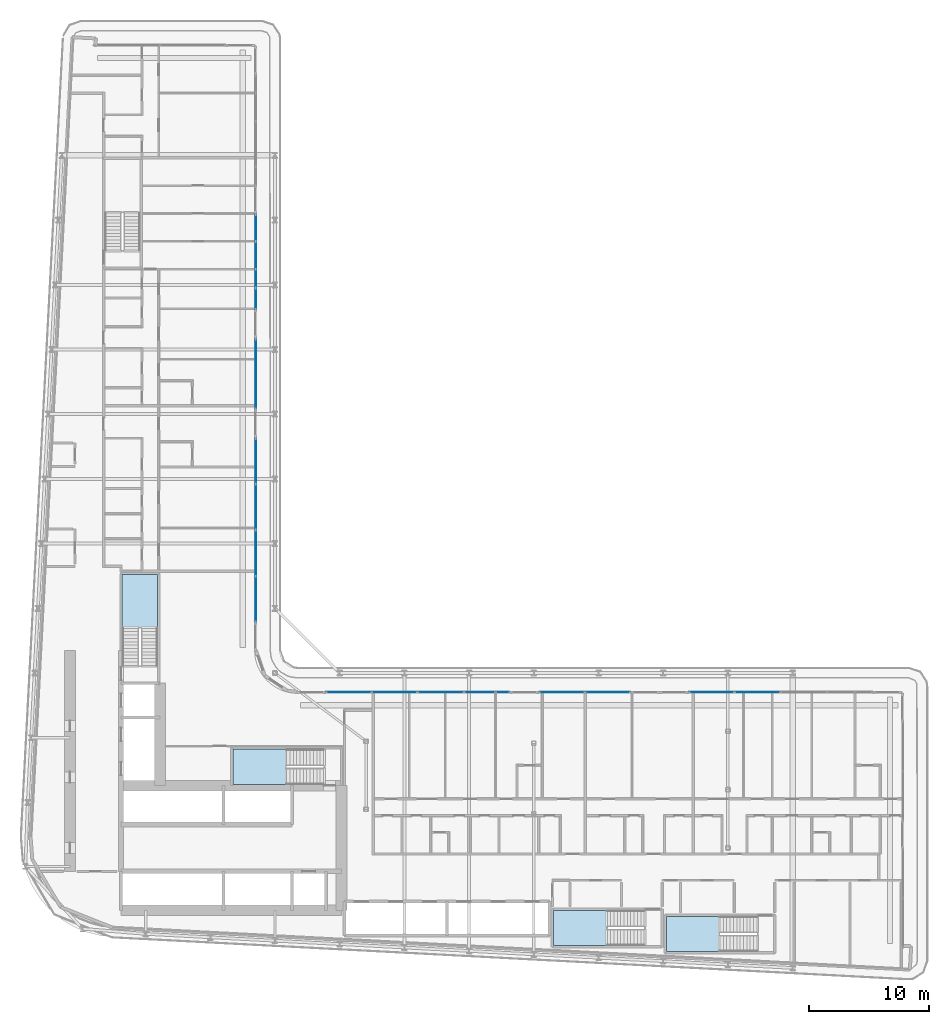
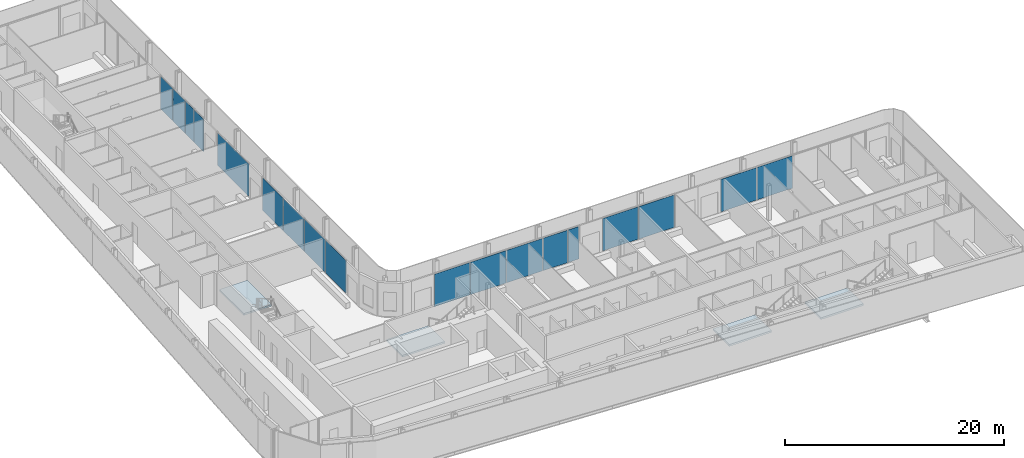
# One storey, part 10 of 28: 18 plates, 4 slabs, 13 elements without a shape of their own.
"""IFC4 building model written with IfcOpenShell, lengths in metres."""

import ifcopenshell
import ifcopenshell.guid

model = None  # the IFC model being written
_history = None  # IfcOwnerHistory: only IFC2X3 demands one
_inside = {}  # id of a spatial element -> (the spatial element, [elements in it])
_under = {}  # id of a project, library or spatial element -> (it, [spatial elements below it])
_declared = {}  # id of a project -> (the project, [libraries it declares])
_typed = {}  # id of a type object -> (the type object, [elements of that type])
_made_of = {}  # id of a material, layer set ... -> (it, [elements and type objects made of it])


def new_model(schema):
    """Start an empty IFC model of exactly this schema.

    Asked for "IFC4X3", IfcOpenShell would pick the latest addendum, in which some entities
    have other attributes; the version numbers below select the first issue.
    IFC2X3 requires an IfcOwnerHistory on every rooted entity: one is made here for all.
    """
    global model, _history
    if schema == "IFC4X3":
        model = ifcopenshell.file(schema_version=(4, 3, 0, 0))
    else:
        model = ifcopenshell.file(schema=schema)
    _inside.clear()
    _under.clear()
    _declared.clear()
    _typed.clear()
    _made_of.clear()
    _history = None
    if model.schema == "IFC2X3":
        org = make("IfcOrganization", Name="unknown")
        user = make(
            "IfcPersonAndOrganization",
            ThePerson=make("IfcPerson", FamilyName="unknown"),
            TheOrganization=org,
        )
        app = make(
            "IfcApplication",
            ApplicationDeveloper=org,
            Version="unknown",
            ApplicationFullName="unknown",
            ApplicationIdentifier="unknown",
        )
        _history = make(
            "IfcOwnerHistory",
            OwningUser=user,
            OwningApplication=app,
            ChangeAction="ADDED",
            CreationDate=0,
        )
    return model


def make(cls, **values):
    """One entity of the class cls with the attributes given. An attribute that is None is left unset."""
    return model.create_entity(
        cls, **{name: value for name, value in values.items() if value is not None}
    )


def rooted(cls, **values):
    """An entity with a GlobalId (a new one), such as an element, a storey or a relation."""
    return make(cls, GlobalId=ifcopenshell.guid.new(), OwnerHistory=_history, **values)


def si_unit(unit_type, name, prefix=None):
    """IfcSIUnit, for example si_unit("LENGTHUNIT", "METRE", prefix="MILLI")."""
    return make("IfcSIUnit", UnitType=unit_type, Prefix=prefix, Name=name)


def assignment(units):
    """IfcUnitAssignment: the units of a project."""
    return None if units is None else make("IfcUnitAssignment", Units=units)


def point(xyz):
    """IfcCartesianPoint."""
    return None if xyz is None else make("IfcCartesianPoint", Coordinates=xyz)


def direction(xyz):
    """IfcDirection."""
    return None if xyz is None else make("IfcDirection", DirectionRatios=xyz)


def frame(location, z_axis=None, x_axis=None):
    """IfcAxis2Placement3D, a coordinate frame: its origin and axes. An axis left out is left unset."""
    return make(
        "IfcAxis2Placement3D",
        Location=point(location),
        Axis=direction(z_axis),
        RefDirection=direction(x_axis),
    )


def frame_2d(location, x_axis=None):
    """IfcAxis2Placement2D, a coordinate frame in the plane: its origin and x axis."""
    return make(
        "IfcAxis2Placement2D", Location=point(location), RefDirection=direction(x_axis)
    )


def origin():
    """The frame at (0, 0, 0) with its axes left unset."""
    return frame((0.0, 0.0, 0.0))


def origin_2d():
    """The frame at (0, 0) in the plane with its x axis left unset."""
    return frame_2d((0.0, 0.0))


def place(relative_to, where):
    """IfcLocalPlacement: puts the frame where relative to a parent placement (None: the world)."""
    return make(
        "IfcLocalPlacement", PlacementRelTo=relative_to, RelativePlacement=where
    )


def context(
    kind, dimensions, precision=None, world=None, true_north=None, identifier=None
):
    """IfcGeometricRepresentationContext, for example the 3D "Model" context."""
    return make(
        "IfcGeometricRepresentationContext",
        ContextIdentifier=identifier,
        ContextType=kind,
        CoordinateSpaceDimension=dimensions,
        Precision=precision,
        WorldCoordinateSystem=world,
        TrueNorth=true_north,
    )


def subcontext(parent, identifier, kind, view, scale=None):
    """IfcGeometricRepresentationSubContext, for example "Body" below "Model"."""
    return make(
        "IfcGeometricRepresentationSubContext",
        ContextIdentifier=identifier,
        ContextType=kind,
        ParentContext=parent,
        TargetScale=scale,
        TargetView=view,
    )


def project(units=None, contexts=None):
    """IfcProject with its units and contexts."""
    return rooted(
        "IfcProject",
        Name="project",
        RepresentationContexts=contexts,
        UnitsInContext=assignment(units),
    )


def spatial(cls, under=None, at=None, **own):
    """A site, building, storey or space (cls), placed at a placement, below another one or the project."""
    s = rooted(cls, ObjectPlacement=at, **own)
    if under is not None:
        _under.setdefault(under.id(), (under, []))[1].append(s)
    return s


def polyline(points):
    """IfcPolyline through the points."""
    return make("IfcPolyline", Points=[point(p) for p in points])


def profile(cls, at=None, kind="AREA", **sizes):
    """A parametric profile (cls). Its sizes go by their IFC names, for example OverallWidth=200.0."""
    return make(cls, ProfileType=kind, Position=at, **sizes)


def rectangle(**sizes):
    """IfcRectangleProfileDef."""
    return profile("IfcRectangleProfileDef", **sizes)


def outline(outer, holes=None, kind="AREA"):
    """IfcArbitraryClosedProfileDef: a profile drawn as a closed curve; with holes, ...WithVoids."""
    if holes is None:
        return make("IfcArbitraryClosedProfileDef", ProfileType=kind, OuterCurve=outer)
    return make(
        "IfcArbitraryProfileDefWithVoids",
        ProfileType=kind,
        OuterCurve=outer,
        InnerCurves=holes,
    )


def extrude(swept, where, along, depth):
    """IfcExtrudedAreaSolid: the profile swept, set in the frame where, extruded along a direction by depth."""
    return make(
        "IfcExtrudedAreaSolid",
        SweptArea=swept,
        Position=where,
        ExtrudedDirection=direction(along),
        Depth=depth,
    )


def shape(context_of_items, identifier, shape_type, items):
    """IfcShapeRepresentation: the items that make up one representation, for example the "Body"."""
    return make(
        "IfcShapeRepresentation",
        ContextOfItems=context_of_items,
        RepresentationIdentifier=identifier,
        RepresentationType=shape_type,
        Items=items,
    )


def material(Name=None, Category=None):
    """IfcMaterial."""
    return make("IfcMaterial", Name=Name, Category=Category)


def layer(
    of_material, thickness, ventilated=None, Name=None, Category=None, Priority=None
):
    """IfcMaterialLayer: one layer of a wall or slab, of a material (None: an air gap)."""
    return make(
        "IfcMaterialLayer",
        Material=of_material,
        LayerThickness=thickness,
        IsVentilated=ventilated,
        Name=Name,
        Category=Category,
        Priority=Priority,
    )


def layer_set(layers, Name=None):
    """IfcMaterialLayerSet."""
    return make("IfcMaterialLayerSet", MaterialLayers=layers, LayerSetName=Name)


def made_of(thing, what):
    """Note that an element or type object is made of a material, layer set ...; save() writes the relation."""
    if what is not None:
        _made_of.setdefault(what.id(), (what, []))[1].append(thing)
    return thing


def type_object(cls, material=None, **own):
    """A type object (cls), such as IfcWallType, which elements share."""
    return made_of(rooted(cls, **own), material)


def element(
    cls,
    number,
    at=None,
    inside=None,
    cuts=None,
    type_object=None,
    material=None,
    context=None,
    identifier="Body",
    shape_type=None,
    held_by="IfcProductDefinitionShape",
    body=None,
    shapes=None,
    **own,
):
    """One element of the class cls, such as IfcWall. Its Tag is "e" and its number.

    at: its placement. inside: the storey or other place that contains it. cuts: it is an
    opening in that element (IfcRelVoidsElement). A single representation is given by context,
    identifier, shape_type and body (its items); several are given by shapes. held_by: the class
    of the entity that holds the representations. save() writes the other relations.
    """
    e = rooted(cls, Tag="e%d" % number, ObjectPlacement=at, **own)
    if body is not None:
        shapes = [shape(context, identifier, shape_type, body)]
    if shapes is not None:
        e.Representation = make(held_by, Representations=shapes)
    if inside is not None:
        _inside.setdefault(inside.id(), (inside, []))[1].append(e)
    if cuts is not None:
        rooted(
            "IfcRelVoidsElement", RelatingBuildingElement=cuts, RelatedOpeningElement=e
        )
    if type_object is not None:
        _typed.setdefault(type_object.id(), (type_object, []))[1].append(e)
    return made_of(e, material)


def aggregate(whole, parts):
    """IfcRelAggregates: a whole, such as a stair, and the parts it consists of."""
    return rooted("IfcRelAggregates", RelatingObject=whole, RelatedObjects=parts)


def save(model, path):
    """Write the relations noted so far, then the file.

    IfcRelAggregates (storeys below a building ...), IfcRelContainedInSpatialStructure (elements
    in a storey), IfcRelDefinesByType, IfcRelAssociatesMaterial and IfcRelDeclares: one each for
    every whole, place, type object, material and project.
    """
    for whole, parts in _under.values():
        aggregate(whole, parts)
    for where, things in _inside.values():
        rooted(
            "IfcRelContainedInSpatialStructure",
            RelatedElements=things,
            RelatingStructure=where,
        )
    for kind, things in _typed.values():
        rooted("IfcRelDefinesByType", RelatedObjects=things, RelatingType=kind)
    for what, things in _made_of.values():
        rooted("IfcRelAssociatesMaterial", RelatedObjects=things, RelatingMaterial=what)
    for by, libraries in _declared.values():
        rooted("IfcRelDeclares", RelatingContext=by, RelatedDefinitions=libraries)
    model.write(path)


model = new_model("IFC4")

# Units and contexts
model_context = context("Model", 3, precision=1e-05, world=origin(), true_north=direction((0.0, 1.0)))
body_context = subcontext(model_context, "Body", "Model", "MODEL_VIEW")
ifc_project = project(units=[si_unit("LENGTHUNIT", "METRE"), si_unit("AREAUNIT", "SQUARE_METRE"), si_unit("VOLUMEUNIT", "CUBIC_METRE"), si_unit("PLANEANGLEUNIT", "RADIAN"), si_unit("MASSUNIT", "GRAM", prefix="KILO")], contexts=[model_context])

# Site, building, storey
site_placement = place(None, origin())
site = spatial("IfcSite", under=ifc_project, at=site_placement, CompositionType="ELEMENT")
building_placement = place(site_placement, origin())
building = spatial("IfcBuilding", under=site, at=building_placement, Name="Kheshtan School and Residences Tower", CompositionType="ELEMENT")
storey_placement = place(building_placement, frame((0.0, 0.0, 137.0)))
storey = spatial("IfcBuildingStorey", under=building, at=storey_placement, Name="L32", CompositionType="ELEMENT", Elevation=137.0)

# Curtain wall, plates
ifc_material_1 = material(Name="Clear low-e glass in thermally broken aluminium frame", Category="aluminium")
ifc_layer_1 = layer(ifc_material_1, 0.199951171875)
ifc_layer_set_1 = layer_set([ifc_layer_1], Name="Curtain wall CW-L")
curtain_wall_type = type_object("IfcCurtainWallType", Name="Curtain wall CW-L", PredefinedType="NOTDEFINED", material=ifc_layer_set_1)
curtain_wall_1_placement = place(storey_placement, origin())
curtain_wall_1 = element("IfcCurtainWall", 1, at=curtain_wall_1_placement, inside=storey, type_object=curtain_wall_type, Name="Curtain wall CWL8b", PredefinedType="NOTDEFINED")
ifc_layer_2 = layer(ifc_material_1, 0.031982421875)
ifc_layer_set_2 = layer_set([ifc_layer_2], Name="CW-L glass panel")
plate_type = type_object("IfcPlateType", Name="CW-L glass panel", PredefinedType="CURTAIN_PANEL", material=ifc_layer_set_2)
plate_1_placement = place(storey_placement, frame((46.0, 82.75048828125, 0.0), z_axis=(0.0, 0.0, 1.0), x_axis=(0.0, -1.0, 0.0)))
plate_1 = element("IfcPlate", 2, at=plate_1_placement, type_object=plate_type, Name="CWL8b panel 1.1", PredefinedType="CURTAIN_PANEL", context=body_context, shape_type="SweptSolid", body=[
    extrude(rectangle(XDim=2.19091796875, YDim=0.031982421875, at=origin_2d()), origin(), (0.0, 0.0, 1.0), 3.6298828125),
])
plate_2_placement = place(storey_placement, frame((46.0, 80.46240234375, 0.0), z_axis=(0.0, 0.0, 1.0), x_axis=(0.0, -1.0, 0.0)))
plate_2 = element("IfcPlate", 3, at=plate_2_placement, type_object=plate_type, Name="CWL8b panel 2.1", PredefinedType="CURTAIN_PANEL", context=body_context, shape_type="SweptSolid", body=[
    extrude(rectangle(XDim=2.264892578125, YDim=0.031982421875, at=origin_2d()), origin(), (0.0, 0.0, 1.0), 3.6298828125),
])
plate_3_placement = place(storey_placement, frame((46.0, 78.52099609375, 0.0), z_axis=(0.0, 0.0, 1.0), x_axis=(0.0, -1.0, 0.0)))
plate_3 = element("IfcPlate", 4, at=plate_3_placement, type_object=plate_type, Name="CWL8b panel 3.1", PredefinedType="CURTAIN_PANEL", context=body_context, shape_type="SweptSolid", body=[
    extrude(rectangle(XDim=1.498046875, YDim=0.031982421875, at=origin_2d()), origin(), (0.0, 0.0, 1.0), 3.6298828125),
])
aggregate(curtain_wall_1, [plate_1, plate_2, plate_3])

# Curtain wall, plate
curtain_wall_2_placement = place(storey_placement, origin())
curtain_wall_2 = element("IfcCurtainWall", 5, at=curtain_wall_2_placement, inside=storey, type_object=curtain_wall_type, Name="Curtain wall CWL8e", PredefinedType="NOTDEFINED")
plate_4_placement = place(storey_placement, frame((46.0, 76.842041015625, 0.0), z_axis=(0.0, 0.0, 1.0), x_axis=(0.0, -1.0, 0.0)))
plate_4 = element("IfcPlate", 6, at=plate_4_placement, type_object=plate_type, Name="CWL8e panel 1.1", PredefinedType="CURTAIN_PANEL", context=body_context, shape_type="SweptSolid", body=[
    extrude(rectangle(XDim=1.739990234375, YDim=0.031982421875, at=origin_2d()), origin(), (0.0, 0.0, 1.0), 3.6298828125),
])
aggregate(curtain_wall_2, [plate_4])

curtain_wall_3_placement = place(storey_placement, origin())
curtain_wall_3 = element("IfcCurtainWall", 7, at=curtain_wall_3_placement, inside=storey, type_object=curtain_wall_type, Name="Curtain wall CWL8f", PredefinedType="NOTDEFINED")
plate_5_placement = place(storey_placement, frame((46.0, 70.56494140625, 0.0), z_axis=(0.0, 0.0, 1.0), x_axis=(0.0, -1.0, 0.0)))
plate_5 = element("IfcPlate", 8, at=plate_5_placement, type_object=plate_type, Name="CWL8f panel 1.1", PredefinedType="CURTAIN_PANEL", context=body_context, shape_type="SweptSolid", body=[
    extrude(rectangle(XDim=5.77392578125, YDim=0.031982421875, at=origin_2d()), origin(), (0.0, 0.0, 1.0), 3.6298828125),
])
aggregate(curtain_wall_3, [plate_5])

# Curtain wall, plates
curtain_wall_4_placement = place(storey_placement, origin())
curtain_wall_4 = element("IfcCurtainWall", 9, at=curtain_wall_4_placement, inside=storey, type_object=curtain_wall_type, Name="Curtain wall CWL8", PredefinedType="NOTDEFINED")
plate_6_placement = place(storey_placement, frame((46.0, 63.279541015625, 0.0), z_axis=(0.0, 0.0, 1.0), x_axis=(0.0, -1.0, 0.0)))
plate_6 = element("IfcPlate", 10, at=plate_6_placement, type_object=plate_type, Name="CWL8 panel 1.1", PredefinedType="CURTAIN_PANEL", context=body_context, shape_type="SweptSolid", body=[
    extrude(rectangle(XDim=3.757080078125, YDim=0.031982421875, at=origin_2d()), origin(), (0.0, 0.0, 1.0), 3.6298828125),
])
plate_7_placement = place(storey_placement, frame((46.0, 59.46240234375, 0.0), z_axis=(0.0, 0.0, 1.0), x_axis=(0.0, -1.0, 0.0)))
plate_7 = element("IfcPlate", 11, at=plate_7_placement, type_object=plate_type, Name="CWL8 panel 2.1", PredefinedType="CURTAIN_PANEL", context=body_context, shape_type="SweptSolid", body=[
    extrude(rectangle(XDim=3.757080078125, YDim=0.031982421875, at=origin_2d()), origin(), (0.0, 0.0, 1.0), 3.6298828125),
])
aggregate(curtain_wall_4, [plate_6, plate_7])

curtain_wall_5_placement = place(storey_placement, origin())
curtain_wall_5 = element("IfcCurtainWall", 12, at=curtain_wall_5_placement, inside=storey, type_object=curtain_wall_type, Name="Curtain wall CWL8", PredefinedType="NOTDEFINED")
plate_8_placement = place(storey_placement, frame((46.0, 55.615478515625, 0.0), z_axis=(0.0, 0.0, 1.0), x_axis=(0.0, -1.0, 0.0)))
plate_8 = element("IfcPlate", 13, at=plate_8_placement, type_object=plate_type, Name="CWL8 panel 1.1", PredefinedType="CURTAIN_PANEL", context=body_context, shape_type="SweptSolid", body=[
    extrude(rectangle(XDim=3.81689453125, YDim=0.031982421875, at=origin_2d()), origin(), (0.0, 0.0, 1.0), 3.6298828125),
])
plate_9_placement = place(storey_placement, frame((46.0, 51.7685546875, 0.0), z_axis=(0.0, 0.0, 1.0), x_axis=(0.0, -1.0, 0.0)))
plate_9 = element("IfcPlate", 14, at=plate_9_placement, type_object=plate_type, Name="CWL8 panel 2.1", PredefinedType="CURTAIN_PANEL", context=body_context, shape_type="SweptSolid", body=[
    extrude(rectangle(XDim=3.757080078125, YDim=0.031982421875, at=origin_2d()), origin(), (0.0, 0.0, 1.0), 3.6298828125),
])
aggregate(curtain_wall_5, [plate_8, plate_9])

curtain_wall_6_placement = place(storey_placement, origin())
curtain_wall_6 = element("IfcCurtainWall", 15, at=curtain_wall_6_placement, inside=storey, type_object=curtain_wall_type, Name="Curtain wall CWL12j", PredefinedType="NOTDEFINED")
plate_10_placement = place(storey_placement, frame((53.7685546875, 44.0, 0.0), z_axis=(0.0, 0.0, 1.0), x_axis=(1.0, 0.0, 0.0)))
plate_10 = element("IfcPlate", 16, at=plate_10_placement, type_object=plate_type, Name="CWL12j panel 1.1", PredefinedType="CURTAIN_PANEL", context=body_context, shape_type="SweptSolid", body=[
    extrude(rectangle(XDim=3.757080078125, YDim=0.031982421875, at=origin_2d()), origin(), (0.0, 0.0, 1.0), 3.6298828125),
])
plate_11_placement = place(storey_placement, frame((57.58544921875, 44.0, 0.0), z_axis=(0.0, 0.0, 1.0), x_axis=(1.0, 0.0, 0.0)))
plate_11 = element("IfcPlate", 17, at=plate_11_placement, type_object=plate_type, Name="CWL12j panel 2.1", PredefinedType="CURTAIN_PANEL", context=body_context, shape_type="SweptSolid", body=[
    extrude(rectangle(XDim=3.757080078125, YDim=0.031982421875, at=origin_2d()), origin(), (0.0, 0.0, 1.0), 3.6298828125),
])
aggregate(curtain_wall_6, [plate_10, plate_11])

curtain_wall_7_placement = place(storey_placement, origin())
curtain_wall_7 = element("IfcCurtainWall", 18, at=curtain_wall_7_placement, inside=storey, type_object=curtain_wall_type, Name="Curtain wall CWL12k", PredefinedType="NOTDEFINED")
plate_12_placement = place(storey_placement, frame((61.4326171875, 44.0, 0.0), z_axis=(0.0, 0.0, 1.0), x_axis=(1.0, 0.0, 0.0)))
plate_12 = element("IfcPlate", 19, at=plate_12_placement, type_object=plate_type, Name="CWL12k panel 1.1", PredefinedType="CURTAIN_PANEL", context=body_context, shape_type="SweptSolid", body=[
    extrude(rectangle(XDim=3.81689453125, YDim=0.031982421875, at=origin_2d()), origin(), (0.0, 0.0, 1.0), 3.6298828125),
])
plate_13_placement = place(storey_placement, frame((64.685546875, 44.0, 0.0), z_axis=(0.0, 0.0, 1.0), x_axis=(1.0, 0.0, 0.0)))
plate_13 = element("IfcPlate", 20, at=plate_13_placement, type_object=plate_type, Name="CWL12k panel 2.1", PredefinedType="CURTAIN_PANEL", context=body_context, shape_type="SweptSolid", body=[
    extrude(rectangle(XDim=2.569091796875, YDim=0.031982421875, at=origin_2d()), origin(), (0.0, 0.0, 1.0), 3.6298828125),
])
plate_14_placement = place(storey_placement, frame((66.593994140625, 44.0, 0.0), z_axis=(0.0, 0.0, 1.0), x_axis=(1.0, 0.0, 0.0)))
plate_14 = element("IfcPlate", 21, at=plate_14_placement, type_object=plate_type, Name="CWL12k panel 3.1", PredefinedType="CURTAIN_PANEL", context=body_context, shape_type="SweptSolid", body=[
    extrude(rectangle(XDim=1.1279296875, YDim=0.031982421875, at=origin_2d()), origin(), (0.0, 0.0, 1.0), 3.6298828125),
])
aggregate(curtain_wall_7, [plate_12, plate_13, plate_14])

curtain_wall_8_placement = place(storey_placement, origin())
curtain_wall_8 = element("IfcCurtainWall", 22, at=curtain_wall_8_placement, inside=storey, type_object=curtain_wall_type, Name="Curtain wall CWL12j", PredefinedType="NOTDEFINED")
plate_15_placement = place(storey_placement, frame((71.556396484375, 44.0, 0.0), z_axis=(0.0, 0.0, 1.0), x_axis=(1.0, 0.0, 0.0)))
plate_15 = element("IfcPlate", 23, at=plate_15_placement, type_object=plate_type, Name="CWL12j panel 1.1", PredefinedType="CURTAIN_PANEL", context=body_context, shape_type="SweptSolid", body=[
    extrude(rectangle(XDim=3.757080078125, YDim=0.031982421875, at=origin_2d()), origin(), (0.0, 0.0, 1.0), 3.6298828125),
])
plate_16_placement = place(storey_placement, frame((75.37353515625, 44.0, 0.0), z_axis=(0.0, 0.0, 1.0), x_axis=(1.0, 0.0, 0.0)))
plate_16 = element("IfcPlate", 24, at=plate_16_placement, type_object=plate_type, Name="CWL12j panel 2.1", PredefinedType="CURTAIN_PANEL", context=body_context, shape_type="SweptSolid", body=[
    extrude(rectangle(XDim=3.757080078125, YDim=0.031982421875, at=origin_2d()), origin(), (0.0, 0.0, 1.0), 3.6298828125),
])
aggregate(curtain_wall_8, [plate_15, plate_16])

curtain_wall_9_placement = place(storey_placement, origin())
curtain_wall_9 = element("IfcCurtainWall", 25, at=curtain_wall_9_placement, inside=storey, type_object=curtain_wall_type, Name="Curtain wall CWL12j", PredefinedType="NOTDEFINED")
plate_17_placement = place(storey_placement, frame((84.050537109375, 44.0, 0.0), z_axis=(0.0, 0.0, 1.0), x_axis=(1.0, 0.0, 0.0)))
plate_17 = element("IfcPlate", 26, at=plate_17_placement, type_object=plate_type, Name="CWL12j panel 1.1", PredefinedType="CURTAIN_PANEL", context=body_context, shape_type="SweptSolid", body=[
    extrude(rectangle(XDim=3.757080078125, YDim=0.031982421875, at=origin_2d()), origin(), (0.0, 0.0, 1.0), 3.6298828125),
])
plate_18_placement = place(storey_placement, frame((87.867431640625, 44.0, 0.0), z_axis=(0.0, 0.0, 1.0), x_axis=(1.0, 0.0, 0.0)))
plate_18 = element("IfcPlate", 27, at=plate_18_placement, type_object=plate_type, Name="CWL12j panel 2.1", PredefinedType="CURTAIN_PANEL", context=body_context, shape_type="SweptSolid", body=[
    extrude(rectangle(XDim=3.757080078125, YDim=0.031982421875, at=origin_2d()), origin(), (0.0, 0.0, 1.0), 3.6298828125),
])
aggregate(curtain_wall_9, [plate_17, plate_18])

# Stair, slab
ifc_material_2 = material(Name="Concrete C40/50", Category="concrete")
stair_type = type_object("IfcStairType", Name="Exit stair, half-turn", PredefinedType="HALF_TURN_STAIR", material=ifc_material_2)
stair_1_placement = place(storey_placement, origin())
stair_1 = element("IfcStair", 28, at=stair_1_placement, inside=storey, type_object=stair_type, Name="L32 Protected Exit Stair ST1", PredefinedType="HALF_TURN_STAIR")
ifc_layer_3 = layer(ifc_material_2, 0.199951171875)
ifc_layer_set_3 = layer_set([ifc_layer_3], Name="Stair landing 200 Concrete C40/50")
slab_type = type_object("IfcSlabType", Name="Stair landing 200 Concrete C40/50", PredefinedType="LANDING", material=ifc_layer_set_3)
slab_1_placement = place(storey_placement, frame((0.0, 0.0, 1.75)))
slab_1 = element("IfcSlab", 29, at=slab_1_placement, type_object=slab_type, Name="ST1 landing 1", PredefinedType="LANDING", context=body_context, shape_type="SweptSolid", body=[
    extrude(outline(polyline([(48.570068359375, 39.25), (44.090087890625, 39.25), (44.090087890625, 36.300048828125), (48.570068359375, 36.300048828125), (48.570068359375, 39.25)])), origin(), (0.0, 0.0, 1.0), 0.199951171875),
])
aggregate(stair_1, [slab_1])

stair_2_placement = place(storey_placement, origin())
stair_2 = element("IfcStair", 30, at=stair_2_placement, inside=storey, type_object=stair_type, Name="L32 Protected Exit Stair ST2", PredefinedType="HALF_TURN_STAIR")
slab_2_placement = place(storey_placement, frame((0.0, 0.0, 1.75)))
slab_2 = element("IfcSlab", 31, at=slab_2_placement, type_object=slab_type, Name="ST2 landing 1", PredefinedType="LANDING", context=body_context, shape_type="SweptSolid", body=[
    extrude(outline(polyline([(37.800048828125, 49.330078125), (37.800048828125, 53.81005859375), (34.85009765625, 53.81005859375), (34.85009765625, 49.330078125), (37.800048828125, 49.330078125)])), origin(), (0.0, 0.0, 1.0), 0.199951171875),
])
aggregate(stair_2, [slab_2])

stair_3_placement = place(storey_placement, origin())
stair_3 = element("IfcStair", 32, at=stair_3_placement, inside=storey, type_object=stair_type, Name="L32 Protected Exit Stair ST4", PredefinedType="HALF_TURN_STAIR")
slab_3_placement = place(storey_placement, frame((0.0, 0.0, 1.75)))
slab_3 = element("IfcSlab", 33, at=slab_3_placement, type_object=slab_type, Name="ST4 landing 1", PredefinedType="LANDING", context=body_context, shape_type="SweptSolid", body=[
    extrude(outline(polyline([(84.739990234375, 25.300048828125), (80.260009765625, 25.300048828125), (80.260009765625, 22.35009765625), (84.739990234375, 22.35009765625), (84.739990234375, 25.300048828125)])), origin(), (0.0, 0.0, 1.0), 0.199951171875),
])
aggregate(stair_3, [slab_3])

stair_4_placement = place(storey_placement, origin())
stair_4 = element("IfcStair", 34, at=stair_4_placement, inside=storey, type_object=stair_type, Name="L32 Protected Exit Stair ST5", PredefinedType="HALF_TURN_STAIR")
slab_4_placement = place(storey_placement, frame((0.0, 0.0, 1.75)))
slab_4 = element("IfcSlab", 35, at=slab_4_placement, type_object=slab_type, Name="ST5 landing 1", PredefinedType="LANDING", context=body_context, shape_type="SweptSolid", body=[
    extrude(outline(polyline([(75.330078125, 25.800048828125), (70.85009765625, 25.800048828125), (70.85009765625, 22.85009765625), (75.330078125, 22.85009765625), (75.330078125, 25.800048828125)])), origin(), (0.0, 0.0, 1.0), 0.199951171875),
])
aggregate(stair_4, [slab_4])

save(model, "model.ifc")
